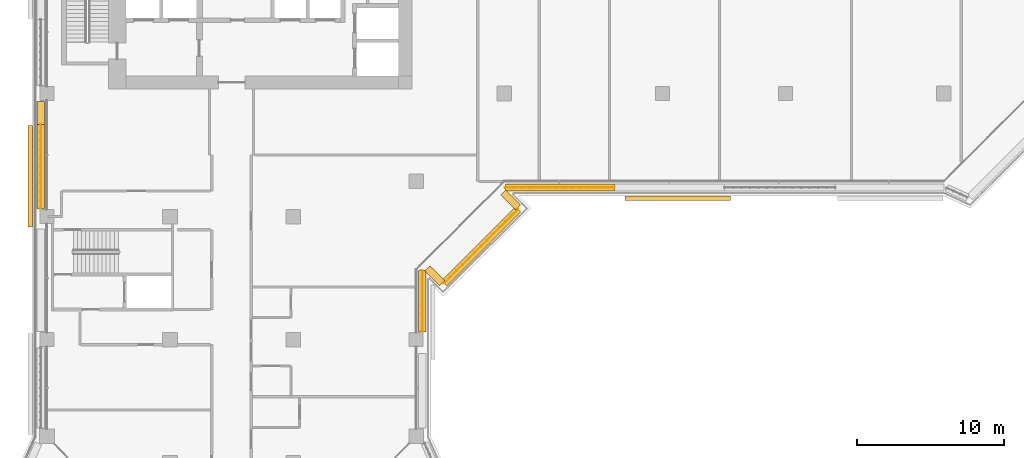
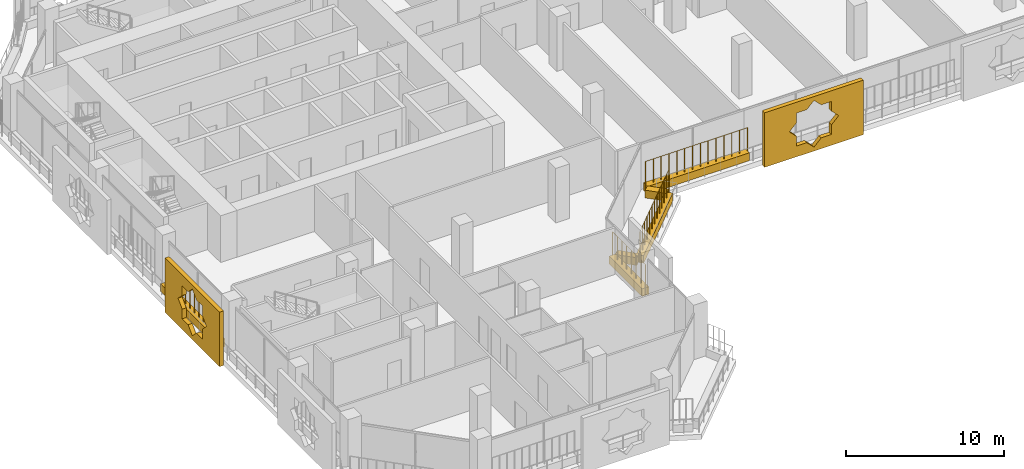
# One storey, part 17 of 22: 9 coverings, 4 railings.
"""IFC4 building model written with IfcOpenShell, lengths in metres."""

from ifc_helpers import new_model, si_unit, direction, frame, origin, origin_2d, place, context, subcontext, project, spatial, polyline, rectangle, circle, outline, extrude, material, material_profile, profile_set, type_object, element, save


model = new_model("IFC4")

# Units and contexts
model_context = context("Model", 3, precision=1e-05, world=origin(), true_north=direction((0.0, 1.0)))
body_context = subcontext(model_context, "Body", "Model", "MODEL_VIEW")
ifc_project = project(units=[si_unit("LENGTHUNIT", "METRE"), si_unit("AREAUNIT", "SQUARE_METRE"), si_unit("VOLUMEUNIT", "CUBIC_METRE"), si_unit("PLANEANGLEUNIT", "RADIAN"), si_unit("MASSUNIT", "GRAM", prefix="KILO")], contexts=[model_context])

# Site, building, storey
site_placement = place(None, origin())
site = spatial("IfcSite", under=ifc_project, at=site_placement, CompositionType="ELEMENT")
building_placement = place(site_placement, origin())
building = spatial("IfcBuilding", under=site, at=building_placement, Name="Kawkab Arch Medical Tower", CompositionType="ELEMENT")
storey_placement = place(building_placement, frame((0.0, 0.0, 187.800048828125)))
storey = spatial("IfcBuildingStorey", under=building, at=storey_placement, Name="L43", CompositionType="ELEMENT", Elevation=187.800048828125)

# Coverings
ifc_material_1 = material(Name="Bronze anodised aluminium mashrabiya panel, eight-point star pattern", Category="aluminium")
ifc_material_profile_1 = material_profile(ifc_material_1, outline(polyline([(-3.449951171875, -2.10009765625), (3.449951171875, -2.10009765625), (3.449951171875, 2.10009765625), (-3.449951171875, 2.10009765625), (-3.449951171875, -2.10009765625)]), holes=[polyline([(1.800048828125, 0.0), (1.272705078125, 0.527099609375), (1.272705078125, 1.272705078125), (0.527099609375, 1.272705078125), (0.0, 1.800048828125), (-0.527099609375, 1.272705078125), (-1.272705078125, 1.272705078125), (-1.272705078125, 0.527099609375), (-1.800048828125, 0.0), (-1.272705078125, -0.527099609375), (-1.272705078125, -1.272705078125), (-0.527099609375, -1.272705078125), (0.0, -1.800048828125), (0.527099609375, -1.272705078125), (1.272705078125, -1.272705078125), (1.272705078125, -0.527099609375), (1.800048828125, 0.0)])]), Name="Mashrabiya panel 6900x4200")
ifc_profile_set_1 = profile_set([ifc_material_profile_1], Name="Bronze anodised aluminium mashrabiya panel, eight-point star pattern")
covering_type_1 = type_object("IfcCoveringType", Name="Mashrabiya panel 6900 x 4200", PredefinedType="USERDEFINED", material=ifc_profile_set_1)
covering_1_placement = place(storey_placement, frame((-1.0, -30.850341796875, 1.699951171875), z_axis=(-1.0, 0.0, 0.0), x_axis=(0.0, -1.0, 0.0)))
element("IfcCovering", 1, at=covering_1_placement, inside=storey, type_object=covering_type_1, Name="Mashrabiya panel L43.LOG-01-01.3", ObjectType="SCREEN", PredefinedType="USERDEFINED", context=body_context, shape_type="SweptSolid", body=[
    extrude(outline(polyline([(-3.449951171875, -2.10009765625), (3.449951171875, -2.10009765625), (3.449951171875, 2.10009765625), (-3.449951171875, 2.10009765625), (-3.449951171875, -2.10009765625)]), holes=[polyline([(1.800048828125, 0.0), (1.272705078125, 0.527099609375), (1.272705078125, 1.272705078125), (0.527099609375, 1.272705078125), (0.0, 1.800048828125), (-0.527099609375, 1.272705078125), (-1.272705078125, 1.272705078125), (-1.272705078125, 0.527099609375), (-1.800048828125, 0.0), (-1.272705078125, -0.527099609375), (-1.272705078125, -1.272705078125), (-0.527099609375, -1.272705078125), (0.0, -1.800048828125), (0.527099609375, -1.272705078125), (1.272705078125, -1.272705078125), (1.272705078125, -0.527099609375), (1.800048828125, 0.0)])]), origin(), (0.0, 0.0, 1.0), 0.300048828125),
])
ifc_material_2 = material(Name="Bronze anodised aluminium mashrabiya panel, eight-point star pattern", Category="aluminium")
ifc_material_profile_2 = material_profile(ifc_material_2, outline(polyline([(-3.60009765625, -2.10009765625), (3.60009765625, -2.10009765625), (3.60009765625, 2.10009765625), (-3.60009765625, 2.10009765625), (-3.60009765625, -2.10009765625)]), holes=[polyline([(1.800048828125, 0.0), (1.272705078125, 0.527099609375), (1.272705078125, 1.272705078125), (0.527099609375, 1.272705078125), (0.0, 1.800048828125), (-0.527099609375, 1.272705078125), (-1.272705078125, 1.272705078125), (-1.272705078125, 0.527099609375), (-1.800048828125, 0.0), (-1.272705078125, -0.527099609375), (-1.272705078125, -1.272705078125), (-0.527099609375, -1.272705078125), (0.0, -1.800048828125), (0.527099609375, -1.272705078125), (1.272705078125, -1.272705078125), (1.272705078125, -0.527099609375), (1.800048828125, 0.0)])]), Name="Mashrabiya panel 7200x4200")
ifc_profile_set_2 = profile_set([ifc_material_profile_2], Name="Bronze anodised aluminium mashrabiya panel, eight-point star pattern")
covering_type_2 = type_object("IfcCoveringType", Name="Mashrabiya panel 7200 x 4200", PredefinedType="USERDEFINED", material=ifc_profile_set_2)
covering_2_placement = place(storey_placement, frame((43.06494140625, -32.199951171875, 1.699951171875), z_axis=(0.0, -1.0, 0.0), x_axis=(1.0, 0.0, 0.0)))
element("IfcCovering", 2, at=covering_2_placement, inside=storey, type_object=covering_type_2, Name="Mashrabiya panel L43.LOG-01-01.11", ObjectType="SCREEN", PredefinedType="USERDEFINED", context=body_context, shape_type="SweptSolid", body=[
    extrude(outline(polyline([(-3.60009765625, -2.10009765625), (3.60009765625, -2.10009765625), (3.60009765625, 2.10009765625), (-3.60009765625, 2.10009765625), (-3.60009765625, -2.10009765625)]), holes=[polyline([(1.800048828125, 0.0), (1.272705078125, 0.527099609375), (1.272705078125, 1.272705078125), (0.527099609375, 1.272705078125), (0.0, 1.800048828125), (-0.527099609375, 1.272705078125), (-1.272705078125, 1.272705078125), (-1.272705078125, 0.527099609375), (-1.800048828125, 0.0), (-1.272705078125, -0.527099609375), (-1.272705078125, -1.272705078125), (-0.527099609375, -1.272705078125), (0.0, -1.800048828125), (0.527099609375, -1.272705078125), (1.272705078125, -1.272705078125), (1.272705078125, -0.527099609375), (1.800048828125, 0.0)])]), origin(), (0.0, 0.0, 1.0), 0.300048828125),
])
ifc_material_3 = material(Name="Planting soil in a precast trough", Category="concrete")
ifc_material_profile_3 = material_profile(ifc_material_3, rectangle(XDim=0.5, YDim=0.60009765625, at=origin_2d()), Name="Trough 500x600")
ifc_profile_set_3 = profile_set([ifc_material_profile_3], Name="Planting soil in a precast trough")
covering_type_3 = type_object("IfcCoveringType", Name="Planter trough 500 x 600", PredefinedType="USERDEFINED", material=ifc_profile_set_3)
covering_3_placement = place(storey_placement, frame((-0.419921875, -33.044921875, 0.300048828125), z_axis=(0.0, 1.0, 0.0), x_axis=(-1.0, 0.0, 0.0)))
element("IfcCovering", 3, at=covering_3_placement, inside=storey, type_object=covering_type_3, Name="Planter L43.LOG-01-01.9", ObjectType="PLANTER", PredefinedType="USERDEFINED", context=body_context, shape_type="SweptSolid", body=[
    extrude(rectangle(XDim=0.5, YDim=0.60009765625, at=origin_2d()), origin(), (0.0, 0.0, 1.0), 5.744873046875),
])
covering_4_placement = place(storey_placement, frame((-0.419921875, -27.300048828125, 0.300048828125), z_axis=(0.0, 1.0, 0.0), x_axis=(-1.0, 0.0, 0.0)))
element("IfcCovering", 4, at=covering_4_placement, inside=storey, type_object=covering_type_3, Name="Planter L43.LOG-01-01.10", ObjectType="PLANTER", PredefinedType="USERDEFINED", context=body_context, shape_type="SweptSolid", body=[
    extrude(rectangle(XDim=0.5, YDim=0.60009765625, at=origin_2d()), origin(), (0.0, 0.0, 1.0), 1.545166015625),
])
covering_5_placement = place(storey_placement, frame((38.719970703125, -31.6201171875, 0.300048828125), z_axis=(-1.0, 0.0, 0.0), x_axis=(0.0, -1.0, 0.0)))
element("IfcCovering", 5, at=covering_5_placement, inside=storey, type_object=covering_type_3, Name="Planter L43.LOG-01-01.37", ObjectType="PLANTER", PredefinedType="USERDEFINED", context=body_context, shape_type="SweptSolid", body=[
    extrude(rectangle(XDim=0.5, YDim=0.60009765625, at=origin_2d()), origin(), (0.0, 0.0, 1.0), 7.43505859375),
])
covering_6_placement = place(storey_placement, frame((31.14306640625, -31.962890625, 0.300048828125), z_axis=(0.707020805532, -0.707192746389, 0.0), x_axis=(0.707192746389, 0.707020805532, 0.0)))
element("IfcCovering", 6, at=covering_6_placement, inside=storey, type_object=covering_type_3, Name="Planter L43.LOG-01-01.38", ObjectType="PLANTER", PredefinedType="USERDEFINED", context=body_context, shape_type="SweptSolid", body=[
    extrude(rectangle(XDim=0.5, YDim=0.60009765625, at=origin_2d()), origin(), (0.0, 0.0, 1.0), 1.419921875),
])
covering_7_placement = place(storey_placement, frame((32.14697265625, -33.10888671875, 0.300048828125), z_axis=(-0.707106781187, -0.707106781187, 0.0), x_axis=(0.707106781187, -0.707106781187, 0.0)))
element("IfcCovering", 7, at=covering_7_placement, inside=storey, type_object=covering_type_3, Name="Planter L43.LOG-01-01.39", ObjectType="PLANTER", PredefinedType="USERDEFINED", context=body_context, shape_type="SweptSolid", body=[
    extrude(rectangle(XDim=0.5, YDim=0.60009765625, at=origin_2d()), origin(), (0.0, 0.0, 1.0), 7.125),
])
covering_8_placement = place(storey_placement, frame((26.967041015625, -38.14697265625, 0.300048828125), z_axis=(-0.707192746389, 0.707020805532, 0.0), x_axis=(-0.707020805532, -0.707192746389, 0.0)))
element("IfcCovering", 8, at=covering_8_placement, inside=storey, type_object=covering_type_3, Name="Planter L43.LOG-01-01.40", ObjectType="PLANTER", PredefinedType="USERDEFINED", context=body_context, shape_type="SweptSolid", body=[
    extrude(rectangle(XDim=0.5, YDim=0.60009765625, at=origin_2d()), origin(), (0.0, 0.0, 1.0), 1.419921875),
])
covering_9_placement = place(storey_placement, frame((25.6201171875, -37.284912109375, 0.300048828125), z_axis=(0.0, -1.0, 0.0), x_axis=(1.0, 0.0, 0.0)))
element("IfcCovering", 9, at=covering_9_placement, inside=storey, type_object=covering_type_3, Name="Planter L43.LOG-01-01.41", ObjectType="PLANTER", PredefinedType="USERDEFINED", context=body_context, shape_type="SweptSolid", body=[
    extrude(rectangle(XDim=0.5, YDim=0.60009765625, at=origin_2d()), origin(), (0.0, 0.0, 1.0), 4.16015625),
])

# Railings
ifc_material_4 = material(Name="Bronze anodised aluminium trellis for climbing plants", Category="aluminium")
railing_type = type_object("IfcRailingType", Name="Planting trellis 2400", PredefinedType="USERDEFINED", material=ifc_material_4)
railing_1_placement = place(storey_placement, frame((-0.419921875, -33.044921875, 0.0)))
element("IfcRailing", 10, at=railing_1_placement, inside=storey, type_object=railing_type, Name="Planting trellis L43.LOG-01-01.9", ObjectType="TRELLIS", PredefinedType="USERDEFINED", context=body_context, shape_type="SweptSolid", body=[
    extrude(circle(Radius=0.01513671875, at=origin_2d()), frame((0.0, 0.0, 2.384765625), z_axis=(0.0, 1.0, 0.0), x_axis=(-1.0, 0.0, 0.0)), (0.0, 0.0, 1.0), 5.744873046875),
    extrude(circle(Radius=0.030029296875, at=origin_2d()), origin(), (0.0, 0.0, 1.0), 2.369873046875),
    extrude(circle(Radius=0.030029296875, at=origin_2d()), frame((0.0, 0.574462890625, 0.0)), (0.0, 0.0, 1.0), 2.369873046875),
    extrude(circle(Radius=0.030029296875, at=origin_2d()), frame((0.0, 1.14892578125, 0.0)), (0.0, 0.0, 1.0), 2.369873046875),
    extrude(circle(Radius=0.030029296875, at=origin_2d()), frame((0.0, 1.723388671875, 0.0)), (0.0, 0.0, 1.0), 2.369873046875),
    extrude(circle(Radius=0.030029296875, at=origin_2d()), frame((0.0, 2.2978515625, 0.0)), (0.0, 0.0, 1.0), 2.369873046875),
    extrude(circle(Radius=0.030029296875, at=origin_2d()), frame((0.0, 2.87255859375, 0.0)), (0.0, 0.0, 1.0), 2.369873046875),
    extrude(circle(Radius=0.030029296875, at=origin_2d()), frame((0.0, 3.447021484375, 0.0)), (0.0, 0.0, 1.0), 2.369873046875),
    extrude(circle(Radius=0.030029296875, at=origin_2d()), frame((0.0, 4.021484375, 0.0)), (0.0, 0.0, 1.0), 2.369873046875),
    extrude(circle(Radius=0.030029296875, at=origin_2d()), frame((0.0, 4.595947265625, 0.0)), (0.0, 0.0, 1.0), 2.369873046875),
    extrude(circle(Radius=0.030029296875, at=origin_2d()), frame((0.0, 5.17041015625, 0.0)), (0.0, 0.0, 1.0), 2.369873046875),
    extrude(circle(Radius=0.030029296875, at=origin_2d()), frame((0.0, 5.744873046875, 0.0)), (0.0, 0.0, 1.0), 2.369873046875),
])
railing_2_placement = place(storey_placement, frame((38.719970703125, -31.6201171875, 0.0)))
element("IfcRailing", 11, at=railing_2_placement, inside=storey, type_object=railing_type, Name="Planting trellis L43.LOG-01-01.37", ObjectType="TRELLIS", PredefinedType="USERDEFINED", context=body_context, shape_type="SweptSolid", body=[
    extrude(circle(Radius=0.01513671875, at=origin_2d()), frame((0.0, 0.0, 2.384765625), z_axis=(-1.0, 0.0, 0.0), x_axis=(0.0, -1.0, 0.0)), (0.0, 0.0, 1.0), 7.43505859375),
    extrude(circle(Radius=0.030029296875, at=origin_2d()), origin(), (0.0, 0.0, 1.0), 2.369873046875),
    extrude(circle(Radius=0.030029296875, at=origin_2d()), frame((-0.572021484375, 0.0, 0.0)), (0.0, 0.0, 1.0), 2.369873046875),
    extrude(circle(Radius=0.030029296875, at=origin_2d()), frame((-1.143798828125, 0.0, 0.0)), (0.0, 0.0, 1.0), 2.369873046875),
    extrude(circle(Radius=0.030029296875, at=origin_2d()), frame((-1.7158203125, 0.0, 0.0)), (0.0, 0.0, 1.0), 2.369873046875),
    extrude(circle(Radius=0.030029296875, at=origin_2d()), frame((-2.28759765625, 0.0, 0.0)), (0.0, 0.0, 1.0), 2.369873046875),
    extrude(circle(Radius=0.030029296875, at=origin_2d()), frame((-2.859619140625, 0.0, 0.0)), (0.0, 0.0, 1.0), 2.369873046875),
    extrude(circle(Radius=0.030029296875, at=origin_2d()), frame((-3.431640625, 0.0, 0.0)), (0.0, 0.0, 1.0), 2.369873046875),
    extrude(circle(Radius=0.030029296875, at=origin_2d()), frame((-4.00341796875, 0.0, 0.0)), (0.0, 0.0, 1.0), 2.369873046875),
    extrude(circle(Radius=0.030029296875, at=origin_2d()), frame((-4.575439453125, 0.0, 0.0)), (0.0, 0.0, 1.0), 2.369873046875),
    extrude(circle(Radius=0.030029296875, at=origin_2d()), frame((-5.1474609375, 0.0, 0.0)), (0.0, 0.0, 1.0), 2.369873046875),
    extrude(circle(Radius=0.030029296875, at=origin_2d()), frame((-5.71923828125, 0.0, 0.0)), (0.0, 0.0, 1.0), 2.369873046875),
    extrude(circle(Radius=0.030029296875, at=origin_2d()), frame((-6.291259765625, 0.0, 0.0)), (0.0, 0.0, 1.0), 2.369873046875),
    extrude(circle(Radius=0.030029296875, at=origin_2d()), frame((-6.863037109375, 0.0, 0.0)), (0.0, 0.0, 1.0), 2.369873046875),
    extrude(circle(Radius=0.030029296875, at=origin_2d()), frame((-7.43505859375, 0.0, 0.0)), (0.0, 0.0, 1.0), 2.369873046875),
])
railing_3_placement = place(storey_placement, frame((32.14697265625, -33.10888671875, 0.0)))
element("IfcRailing", 12, at=railing_3_placement, inside=storey, type_object=railing_type, Name="Planting trellis L43.LOG-01-01.39", ObjectType="TRELLIS", PredefinedType="USERDEFINED", context=body_context, shape_type="SweptSolid", body=[
    extrude(circle(Radius=0.01513671875, at=origin_2d()), frame((0.0, 0.0, 2.384765625), z_axis=(-0.707106781187, -0.707106781187, 0.0), x_axis=(0.707106781187, -0.707106781187, 0.0)), (0.0, 0.0, 1.0), 7.125),
    extrude(circle(Radius=0.030029296875, at=origin_2d()), origin(), (0.0, 0.0, 1.0), 2.369873046875),
    extrude(circle(Radius=0.030029296875, at=origin_2d()), frame((-0.419921875, -0.419921875, 0.0)), (0.0, 0.0, 1.0), 2.369873046875),
    extrude(circle(Radius=0.030029296875, at=origin_2d()), frame((-0.839599609375, -0.839599609375, 0.0)), (0.0, 0.0, 1.0), 2.369873046875),
    extrude(circle(Radius=0.030029296875, at=origin_2d()), frame((-1.259521484375, -1.259521484375, 0.0)), (0.0, 0.0, 1.0), 2.369873046875),
    extrude(circle(Radius=0.030029296875, at=origin_2d()), frame((-1.679443359375, -1.679443359375, 0.0)), (0.0, 0.0, 1.0), 2.369873046875),
    extrude(circle(Radius=0.030029296875, at=origin_2d()), frame((-2.09912109375, -2.09912109375, 0.0)), (0.0, 0.0, 1.0), 2.369873046875),
    extrude(circle(Radius=0.030029296875, at=origin_2d()), frame((-2.51904296875, -2.51904296875, 0.0)), (0.0, 0.0, 1.0), 2.369873046875),
    extrude(circle(Radius=0.030029296875, at=origin_2d()), frame((-2.93896484375, -2.93896484375, 0.0)), (0.0, 0.0, 1.0), 2.369873046875),
    extrude(circle(Radius=0.030029296875, at=origin_2d()), frame((-3.358642578125, -3.358642578125, 0.0)), (0.0, 0.0, 1.0), 2.369873046875),
    extrude(circle(Radius=0.030029296875, at=origin_2d()), frame((-3.778564453125, -3.778564453125, 0.0)), (0.0, 0.0, 1.0), 2.369873046875),
    extrude(circle(Radius=0.030029296875, at=origin_2d()), frame((-4.198486328125, -4.198486328125, 0.0)), (0.0, 0.0, 1.0), 2.369873046875),
    extrude(circle(Radius=0.030029296875, at=origin_2d()), frame((-4.6181640625, -4.6181640625, 0.0)), (0.0, 0.0, 1.0), 2.369873046875),
    extrude(circle(Radius=0.030029296875, at=origin_2d()), frame((-5.0380859375, -5.0380859375, 0.0)), (0.0, 0.0, 1.0), 2.369873046875),
])
railing_4_placement = place(storey_placement, frame((25.6201171875, -37.284912109375, 0.0)))
element("IfcRailing", 13, at=railing_4_placement, inside=storey, type_object=railing_type, Name="Planting trellis L43.LOG-01-01.41", ObjectType="TRELLIS", PredefinedType="USERDEFINED", context=body_context, shape_type="SweptSolid", body=[
    extrude(circle(Radius=0.01513671875, at=origin_2d()), frame((0.0, 0.0, 2.384765625), z_axis=(0.0, -1.0, 0.0), x_axis=(1.0, 0.0, 0.0)), (0.0, 0.0, 1.0), 4.16015625),
    extrude(circle(Radius=0.030029296875, at=origin_2d()), origin(), (0.0, 0.0, 1.0), 2.369873046875),
    extrude(circle(Radius=0.030029296875, at=origin_2d()), frame((0.0, -0.59423828125, 0.0)), (0.0, 0.0, 1.0), 2.369873046875),
    extrude(circle(Radius=0.030029296875, at=origin_2d()), frame((0.0, -1.188720703125, 0.0)), (0.0, 0.0, 1.0), 2.369873046875),
    extrude(circle(Radius=0.030029296875, at=origin_2d()), frame((0.0, -1.782958984375, 0.0)), (0.0, 0.0, 1.0), 2.369873046875),
    extrude(circle(Radius=0.030029296875, at=origin_2d()), frame((0.0, -2.377197265625, 0.0)), (0.0, 0.0, 1.0), 2.369873046875),
    extrude(circle(Radius=0.030029296875, at=origin_2d()), frame((0.0, -2.971435546875, 0.0)), (0.0, 0.0, 1.0), 2.369873046875),
    extrude(circle(Radius=0.030029296875, at=origin_2d()), frame((0.0, -3.56591796875, 0.0)), (0.0, 0.0, 1.0), 2.369873046875),
    extrude(circle(Radius=0.030029296875, at=origin_2d()), frame((0.0, -4.16015625, 0.0)), (0.0, 0.0, 1.0), 2.369873046875),
])

save(model, "model.ifc")
